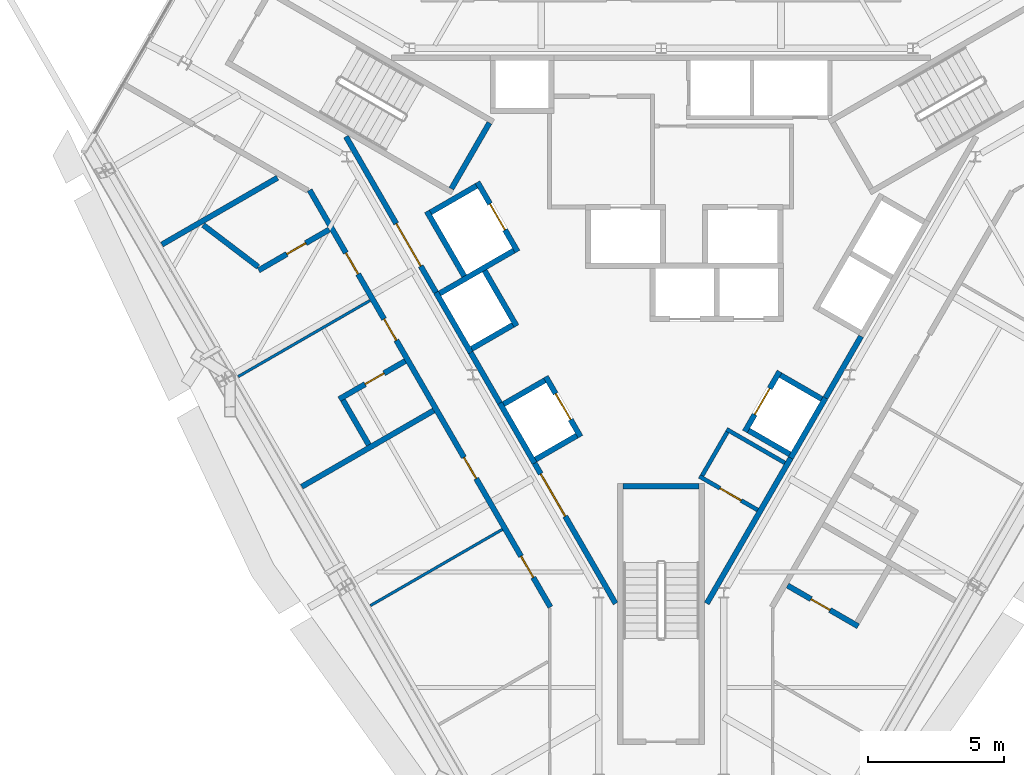
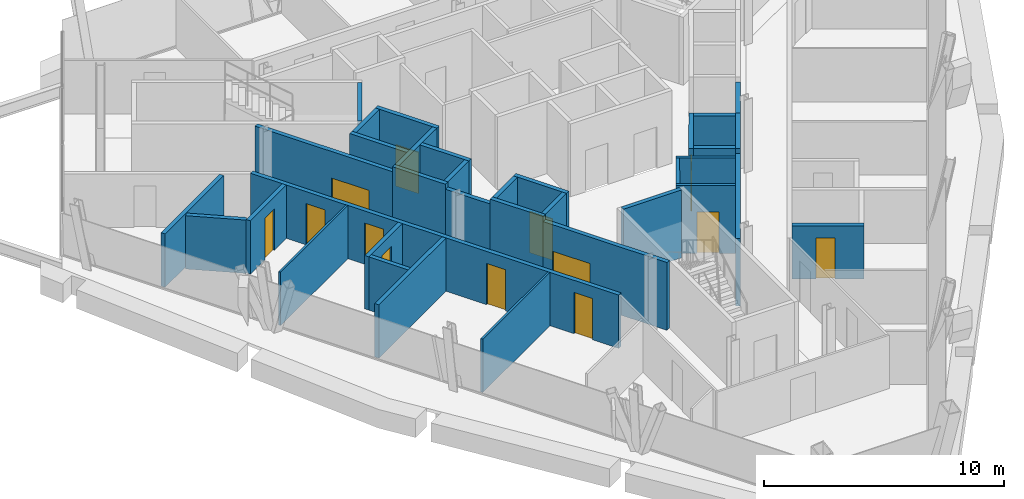
# One storey, part 7 of 11: 35 walls, 13 doors, 13 openings.
"""IFC4 building model written with IfcOpenShell, lengths in metres."""

from ifc_helpers import new_model, si_unit, direction, frame, frame_2d, origin, place, context, subcontext, project, spatial, rectangle, extrude, material, layer, layer_set, type_object, element, fill, save


model = new_model("IFC4")

# Units and contexts
model_context = context("Model", 3, precision=1e-05, world=origin(), true_north=direction((0.0, 1.0)))
body_context = subcontext(model_context, "Body", "Model", "MODEL_VIEW")
ifc_project = project(units=[si_unit("LENGTHUNIT", "METRE"), si_unit("AREAUNIT", "SQUARE_METRE"), si_unit("VOLUMEUNIT", "CUBIC_METRE"), si_unit("PLANEANGLEUNIT", "RADIAN"), si_unit("MASSUNIT", "GRAM", prefix="KILO")], contexts=[model_context])

# Site, building, storey
site_placement = place(None, origin())
site = spatial("IfcSite", under=ifc_project, at=site_placement, CompositionType="ELEMENT")
building_placement = place(site_placement, origin())
building = spatial("IfcBuilding", under=site, at=building_placement, Name="Verrane Prism Tower", CompositionType="ELEMENT")
storey_placement = place(building_placement, frame((0.0, 0.0, 232.300048828125)))
storey = spatial("IfcBuildingStorey", under=building, at=storey_placement, Name="L58", CompositionType="ELEMENT", Elevation=232.300048828125)

# Wall, opening, door
ifc_material_1 = material(Name="Gypsum board partition", Category="other")
ifc_layer_1 = layer(ifc_material_1, 0.199951171875)
ifc_layer_set_1 = layer_set([ifc_layer_1], Name="CW-200 core boundary wall 2 h")
wall_type_1 = type_object("IfcWallType", Name="CW-200 core boundary wall 2 h", PredefinedType="PARTITIONING", material=ifc_layer_set_1)
wall_1_placement = place(storey_placement, frame((-11.590576171875, 4.7548828125, 0.0), z_axis=(0.0, 0.0, 1.0), x_axis=(0.500043977787, -0.866000011708, 0.0)))
wall_1 = element("IfcWall", 1, at=wall_1_placement, inside=storey, type_object=wall_type_1, Name="Core boundary wall CW3-001", PredefinedType="PARTITIONING", context=body_context, shape_type="SweptSolid", body=[
    extrude(rectangle(XDim=6.61669921875, YDim=0.199951171875, at=frame_2d((3.308349609375, 0.0))), origin(), (0.0, 0.0, 1.0), 3.449951171875),
])
opening_1_placement = place(wall_1_placement, frame((3.695068359375, 0.0, 0.0)))
opening_1 = element("IfcOpeningElement", 2, at=opening_1_placement, cuts=wall_1, Name="Opening D57510", PredefinedType="OPENING", context=body_context, shape_type="SweptSolid", body=[
    extrude(rectangle(XDim=1.800048828125, YDim=2.10009765625, at=frame_2d((0.89990234375, 1.050048828125))), frame((0.0, 0.10986328125, 0.0), z_axis=(0.0, -1.0, 0.0), x_axis=(1.0, 0.0, 0.0)), (0.0, 0.0, 1.0), 0.219970703125),
])
ifc_material_2 = material(Name="Timber veneered door leaf", Category="wood")
door_type_1 = type_object("IfcDoorType", Name="DR-1800x2100 FD60 double leaf lift lobby", OperationType="NOTDEFINED", PredefinedType="DOOR", material=ifc_material_2)
door_1_placement = place(opening_1_placement, origin())
door_1 = element("IfcDoor", 3, at=door_1_placement, inside=storey, type_object=door_type_1, Name="Lift lobby door D57510", OperationType="DOUBLE_DOOR_SINGLE_SWING", OverallHeight=2.10009765625, OverallWidth=1.800048828125, PredefinedType="DOOR", context=body_context, shape_type="SweptSolid", body=[
    extrude(rectangle(XDim=1.800048828125, YDim=2.10009765625, at=frame_2d((0.89990234375, 1.050048828125))), frame((0.0, 0.02490234375, 0.0), z_axis=(0.0, -1.0, 0.0), x_axis=(1.0, 0.0, 0.0)), (0.0, 0.0, 1.0), 0.050048828125),
])
fill(opening_1, door_1)

# Wall
wall_2_placement = place(storey_placement, frame((-7.0048828125, -3.18701171875, 0.0), z_axis=(0.0, 0.0, 1.0), x_axis=(0.499689606989, -0.866204535123, 0.0)))
element("IfcWall", 4, at=wall_2_placement, inside=storey, type_object=wall_type_1, Name="Core boundary wall CW3-003", PredefinedType="PARTITIONING", context=body_context, shape_type="SweptSolid", body=[
    extrude(rectangle(XDim=2.144775390625, YDim=0.199951171875, at=frame_2d((1.072265625, 0.0))), origin(), (0.0, 0.0, 1.0), 3.449951171875),
])

# Wall, opening, door
wall_3_placement = place(storey_placement, frame((-4.655029296875, -7.257080078125, 0.0), z_axis=(0.0, 0.0, 1.0), x_axis=(0.499966124405, -0.866044960985, 0.0)))
wall_3 = element("IfcWall", 5, at=wall_3_placement, inside=storey, type_object=wall_type_1, Name="Core boundary wall CW3-004", PredefinedType="PARTITIONING", context=body_context, shape_type="SweptSolid", body=[
    extrude(rectangle(XDim=5.95556640625, YDim=0.199951171875, at=frame_2d((2.977783203125, 0.0))), origin(), (0.0, 0.0, 1.0), 3.449951171875),
])
opening_2_placement = place(wall_3_placement, frame((0.449951171875, 0.0, 0.0)))
opening_2 = element("IfcOpeningElement", 6, at=opening_2_placement, cuts=wall_3, Name="Opening D57511", PredefinedType="OPENING", context=body_context, shape_type="SweptSolid", body=[
    extrude(rectangle(XDim=1.800048828125, YDim=2.10009765625, at=frame_2d((0.89990234375, 1.050048828125))), frame((0.0, 0.10986328125, 0.0), z_axis=(0.0, -1.0, 0.0), x_axis=(1.0, 0.0, 0.0)), (0.0, 0.0, 1.0), 0.219970703125),
])
door_2_placement = place(opening_2_placement, origin())
door_2 = element("IfcDoor", 7, at=door_2_placement, inside=storey, type_object=door_type_1, Name="Lift lobby door D57511", OperationType="DOUBLE_DOOR_SINGLE_SWING", OverallHeight=2.10009765625, OverallWidth=1.800048828125, PredefinedType="DOOR", context=body_context, shape_type="SweptSolid", body=[
    extrude(rectangle(XDim=1.800048828125, YDim=2.10009765625, at=frame_2d((0.89990234375, 1.050048828125))), frame((0.0, 0.02490234375, 0.0), z_axis=(0.0, -1.0, 0.0), x_axis=(1.0, 0.0, 0.0)), (0.0, 0.0, 1.0), 0.050048828125),
])
fill(opening_2, door_2)

# Walls
wall_4_placement = place(storey_placement, frame((1.677490234375, -12.414794921875, 0.0), z_axis=(0.0, 0.0, 1.0), x_axis=(0.500054337157, 0.865994029939, 0.0)))
element("IfcWall", 8, at=wall_4_placement, inside=storey, type_object=wall_type_1, Name="Core boundary wall CW3-006", PredefinedType="PARTITIONING", context=body_context, shape_type="SweptSolid", body=[
    extrude(rectangle(XDim=6.176513671875, YDim=0.199951171875, at=frame_2d((3.08837890625, 0.0))), origin(), (0.0, 0.0, 1.0), 3.449951171875),
])
wall_5_placement = place(storey_placement, frame((6.0419921875, -4.85498046875, 0.0), z_axis=(0.0, 0.0, 1.0), x_axis=(0.500252727967, 0.865879442048, 0.0)))
element("IfcWall", 9, at=wall_5_placement, inside=storey, type_object=wall_type_1, Name="Core boundary wall CW3-007", PredefinedType="PARTITIONING", context=body_context, shape_type="SweptSolid", body=[
    extrude(rectangle(XDim=2.616943359375, YDim=0.199951171875, at=frame_2d((1.30859375, 0.0))), origin(), (0.0, 0.0, 1.0), 3.449951171875),
])
ifc_material_3 = material(Name="Concrete C40/50", Category="concrete")
ifc_layer_2 = layer(ifc_material_3, 0.199951171875)
ifc_layer_set_2 = layer_set([ifc_layer_2], Name="CW-200 stair core wall concrete C40/50 3 h")
wall_type_2 = type_object("IfcWallType", Name="CW-200 stair core wall concrete C40/50 3 h", PredefinedType="PARTITIONING", material=ifc_layer_set_2)
wall_6_placement = place(storey_placement, frame((-6.314697265625, 5.262451171875, 0.0), z_axis=(0.0, 0.0, 1.0), x_axis=(-0.500049511043, -0.865996816683, 0.0)))
element("IfcWall", 10, at=wall_6_placement, inside=storey, type_object=wall_type_2, Name="Stair 2 enclosure wall", PredefinedType="PARTITIONING", context=body_context, shape_type="SweptSolid", body=[
    extrude(rectangle(XDim=2.800048828125, YDim=0.199951171875, at=frame_2d((1.39990234375, 0.0))), origin(), (0.0, 0.0, 1.0), 3.449951171875),
])
wall_7_placement = place(storey_placement, frame((-1.39990234375, -8.10009765625, 0.0), z_axis=(0.0, 0.0, 1.0), x_axis=(1.0, 0.0, 0.0)))
element("IfcWall", 11, at=wall_7_placement, inside=storey, type_object=wall_type_2, Name="Stair 3 enclosure wall", PredefinedType="PARTITIONING", context=body_context, shape_type="SweptSolid", body=[
    extrude(rectangle(XDim=2.7998046875, YDim=0.199951171875, at=frame_2d((1.39990234375, 0.0))), origin(), (0.0, 0.0, 1.0), 3.449951171875),
])
ifc_material_4 = material(Name="Gypsum board shaft wall assembly", Category="other")
ifc_layer_3 = layer(ifc_material_4, 0.199951171875)
ifc_layer_set_3 = layer_set([ifc_layer_3], Name="HW-200 lift shaft wall 2 h")
wall_type_3 = type_object("IfcWallType", Name="HW-200 lift shaft wall 2 h", PredefinedType="PARTITIONING", material=ifc_layer_set_3)
for number, where, z_axis, x_axis, name in (
    (12, (-4.61962890625, -7.118408203125, 0.0), (0.0, 0.0, 1.0), (0.866036909293, 0.499980071345, 0.0), "Lift shaft wall"),
    (13, (-5.794677734375, -5.083251953125, 0.0), (0.0, 0.0, 1.0), (0.866036909293, 0.499980071345, 0.0), "Lift shaft wall"),
    (14, (-6.9697265625, -3.048095703125, 0.0), (0.0, 0.0, 1.0), (0.866036909293, 0.499980071345, 0.0), "Lift shaft wall"),
):
    element("IfcWall", number, at=place(storey_placement, frame(where, z_axis=z_axis, x_axis=x_axis)), inside=storey, type_object=wall_type_3, Name=name, PredefinedType="PARTITIONING", context=body_context, shape_type="SweptSolid", body=[
        extrude(rectangle(XDim=1.75, YDim=0.199951171875, at=frame_2d((0.875, 0.0))), origin(), (0.0, 0.0, 1.0), 3.699951171875),
    ])
wall_8_placement = place(storey_placement, frame((-8.14453125, -1.012939453125, 0.0), z_axis=(0.0, 0.0, 1.0), x_axis=(0.866016494683, 0.500015430699, 0.0)))
element("IfcWall", 15, at=wall_8_placement, inside=storey, type_object=wall_type_3, Name="Lift shaft wall", PredefinedType="PARTITIONING", context=body_context, shape_type="SweptSolid", body=[
    extrude(rectangle(XDim=3.14990234375, YDim=0.199951171875, at=frame_2d((1.574951171875, 0.0))), origin(), (0.0, 0.0, 1.0), 3.699951171875),
])
wall_9_placement = place(storey_placement, frame((-8.48046875, 1.968505859375, 0.0), z_axis=(0.0, 0.0, 1.0), x_axis=(0.866000020948, 0.500043961785, 0.0)))
element("IfcWall", 16, at=wall_9_placement, inside=storey, type_object=wall_type_3, Name="Lift shaft wall", PredefinedType="PARTITIONING", context=body_context, shape_type="SweptSolid", body=[
    extrude(rectangle(XDim=1.949951171875, YDim=0.199951171875, at=frame_2d((0.97509765625, 0.0))), origin(), (0.0, 0.0, 1.0), 3.699951171875),
])
wall_10_placement = place(storey_placement, frame((4.766357421875, -7.064697265625, 0.0), z_axis=(0.0, 0.0, 1.0), x_axis=(0.499948979701, 0.866054858364, 0.0)))
element("IfcWall", 17, at=wall_10_placement, inside=storey, type_object=wall_type_3, Name="Lift shaft wall", PredefinedType="PARTITIONING", context=body_context, shape_type="SweptSolid", body=[
    extrude(rectangle(XDim=2.550048828125, YDim=0.199951171875, at=frame_2d((1.27490234375, 0.0))), origin(), (0.0, 0.0, 1.0), 3.699951171875),
])

# Wall, opening, door
wall_11_placement = place(storey_placement, frame((3.077392578125, -6.089599609375, 0.0), z_axis=(0.0, 0.0, 1.0), x_axis=(0.500062241894, 0.865989465428, 0.0)))
wall_11 = element("IfcWall", 18, at=wall_11_placement, inside=storey, type_object=wall_type_3, Name="Lift shaft wall", PredefinedType="PARTITIONING", context=body_context, shape_type="SweptSolid", body=[
    extrude(rectangle(XDim=2.550048828125, YDim=0.199951171875, at=frame_2d((1.27490234375, 0.0))), origin(), (0.0, 0.0, 1.0), 3.699951171875),
])
opening_3_placement = place(wall_11_placement, frame((0.72509765625, 0.0, 0.0)))
opening_3 = element("IfcOpeningElement", 19, at=opening_3_placement, cuts=wall_11, Name="Opening D57505", PredefinedType="OPENING", context=body_context, shape_type="SweptSolid", body=[
    extrude(rectangle(XDim=1.10009765625, YDim=2.10009765625, at=frame_2d((0.550048828125, 1.050048828125))), frame((0.0, 0.10986328125, 0.0), z_axis=(0.0, -1.0, 0.0), x_axis=(1.0, 0.0, 0.0)), (0.0, 0.0, 1.0), 0.219970703125),
])
ifc_material_5 = material(Name="Stainless steel sliding landing door", Category="steel")
door_type_2 = type_object("IfcDoorType", Name="LD-1100x2100 lift landing door FD90 sliding", OperationType="NOTDEFINED", PredefinedType="DOOR", material=ifc_material_5)
door_3_placement = place(opening_3_placement, origin())
door_3 = element("IfcDoor", 20, at=door_3_placement, inside=storey, type_object=door_type_2, Name="Bank B lift 3 landing door", OperationType="SLIDING_TO_LEFT", OverallHeight=2.10009765625, OverallWidth=1.10009765625, PredefinedType="DOOR", context=body_context, shape_type="SweptSolid", body=[
    extrude(rectangle(XDim=1.10009765625, YDim=2.10009765625, at=frame_2d((0.550048828125, 1.050048828125))), frame((0.0, 0.02490234375, 0.0), z_axis=(0.0, -1.0, 0.0), x_axis=(1.0, 0.0, 0.0)), (0.0, 0.0, 1.0), 0.050048828125),
])
fill(opening_3, door_3)

wall_12_placement = place(storey_placement, frame((-5.280029296875, 0.525390625, 0.0), z_axis=(0.0, 0.0, 1.0), x_axis=(-0.500037662692, 0.866003658127, 0.0)))
wall_12 = element("IfcWall", 21, at=wall_12_placement, inside=storey, type_object=wall_type_3, Name="Lift shaft wall", PredefinedType="PARTITIONING", context=body_context, shape_type="SweptSolid", body=[
    extrude(rectangle(XDim=2.949951171875, YDim=0.199951171875, at=frame_2d((1.47509765625, 0.0))), origin(), (0.0, 0.0, 1.0), 3.699951171875),
])
opening_4_placement = place(wall_12_placement, frame((0.925048828125, 0.0, 0.0)))
opening_4 = element("IfcOpeningElement", 22, at=opening_4_placement, cuts=wall_12, Name="Opening D57509", PredefinedType="OPENING", context=body_context, shape_type="SweptSolid", body=[
    extrude(rectangle(XDim=1.10009765625, YDim=2.10009765625, at=frame_2d((0.550048828125, 1.050048828125))), frame((0.0, 0.10986328125, 0.0), z_axis=(0.0, -1.0, 0.0), x_axis=(1.0, 0.0, 0.0)), (0.0, 0.0, 1.0), 0.219970703125),
])
door_4_placement = place(opening_4_placement, origin())
door_4 = element("IfcDoor", 23, at=door_4_placement, inside=storey, type_object=door_type_2, Name="Service lift 1 landing door", OperationType="SLIDING_TO_LEFT", OverallHeight=2.10009765625, OverallWidth=1.10009765625, PredefinedType="DOOR", context=body_context, shape_type="SweptSolid", body=[
    extrude(rectangle(XDim=1.10009765625, YDim=2.10009765625, at=frame_2d((0.550048828125, 1.050048828125))), frame((0.0, 0.02490234375, 0.0), z_axis=(0.0, -1.0, 0.0), x_axis=(1.0, 0.0, 0.0)), (0.0, 0.0, 1.0), 0.050048828125),
])
fill(opening_4, door_4)

wall_13_placement = place(storey_placement, frame((-2.967529296875, -6.280029296875, 0.0), z_axis=(0.0, 0.0, 1.0), x_axis=(-0.499990435942, 0.866030925526, 0.0)))
wall_13 = element("IfcWall", 24, at=wall_13_placement, inside=storey, type_object=wall_type_3, Name="Lift shaft wall", PredefinedType="PARTITIONING", context=body_context, shape_type="SweptSolid", body=[
    extrude(rectangle(XDim=2.5498046875, YDim=0.199951171875, at=frame_2d((1.27490234375, 0.0))), origin(), (0.0, 0.0, 1.0), 3.699951171875),
])
opening_5_placement = place(wall_13_placement, frame((0.72509765625, 0.0, 0.0)))
opening_5 = element("IfcOpeningElement", 25, at=opening_5_placement, cuts=wall_13, Name="Opening D57506", PredefinedType="OPENING", context=body_context, shape_type="SweptSolid", body=[
    extrude(rectangle(XDim=1.10009765625, YDim=2.10009765625, at=frame_2d((0.550048828125, 1.050048828125))), frame((0.0, 0.10986328125, 0.0), z_axis=(0.0, -1.0, 0.0), x_axis=(1.0, 0.0, 0.0)), (0.0, 0.0, 1.0), 0.219970703125),
])
door_5_placement = place(opening_5_placement, origin())
door_5 = element("IfcDoor", 26, at=door_5_placement, inside=storey, type_object=door_type_2, Name="Bank B lift 4 landing door", OperationType="SLIDING_TO_RIGHT", OverallHeight=2.10009765625, OverallWidth=1.10009765625, PredefinedType="DOOR", context=body_context, shape_type="SweptSolid", body=[
    extrude(rectangle(XDim=1.10009765625, YDim=2.10009765625, at=frame_2d((0.550048828125, 1.050048828125))), frame((0.0, 0.02490234375, 0.0), z_axis=(0.0, -1.0, 0.0), x_axis=(1.0, 0.0, 0.0)), (0.0, 0.0, 1.0), 0.050048828125),
])
fill(opening_5, door_5)

# Walls
wall_14_placement = place(storey_placement, frame((-5.317626953125, -2.209716796875, 0.0), z_axis=(0.0, 0.0, 1.0), x_axis=(-0.499938297808, 0.866061024631, 0.0)))
element("IfcWall", 27, at=wall_14_placement, inside=storey, type_object=wall_type_3, Name="Lift shaft wall", PredefinedType="PARTITIONING", context=body_context, shape_type="SweptSolid", body=[
    extrude(rectangle(XDim=2.349853515625, YDim=0.199951171875, at=frame_2d((1.1748046875, 0.0))), origin(), (0.0, 0.0, 1.0), 3.699951171875),
])
wall_15_placement = place(storey_placement, frame((-7.241943359375, -0.37646484375, 0.0), z_axis=(0.0, 0.0, 1.0), x_axis=(-0.499996545922, 0.866027397988, 0.0)))
element("IfcWall", 28, at=wall_15_placement, inside=storey, type_object=wall_type_3, Name="Lift shaft wall", PredefinedType="PARTITIONING", context=body_context, shape_type="SweptSolid", body=[
    extrude(rectangle(XDim=2.75, YDim=0.199951171875, at=frame_2d((1.375, 0.0))), origin(), (0.0, 0.0, 1.0), 3.699951171875),
])
for number, where, z_axis, x_axis, name in (
    (29, (-4.65625, -7.255126953125, 0.0), (0.0, 0.0, 1.0), (-0.499990435942, 0.866030925526, 0.0), "Lift shaft wall"),
    (30, (-7.00634765625, -3.184814453125, 0.0), (0.0, 0.0, 1.0), (-0.499990435942, 0.866030925526, 0.0), "Lift shaft wall"),
):
    element("IfcWall", number, at=place(storey_placement, frame(where, z_axis=z_axis, x_axis=x_axis)), inside=storey, type_object=wall_type_3, Name=name, PredefinedType="PARTITIONING", context=body_context, shape_type="SweptSolid", body=[
        extrude(rectangle(XDim=2.5498046875, YDim=0.199951171875, at=frame_2d((1.27490234375, 0.0))), origin(), (0.0, 0.0, 1.0), 3.699951171875),
    ])
wall_16_placement = place(storey_placement, frame((5.904541015625, -4.892822265625, 0.0), z_axis=(0.0, 0.0, 1.0), x_axis=(-0.866002029911, 0.500040482552, 0.0)))
element("IfcWall", 31, at=wall_16_placement, inside=storey, type_object=wall_type_3, Name="Lift shaft wall", PredefinedType="PARTITIONING", context=body_context, shape_type="SweptSolid", body=[
    extrude(rectangle(XDim=1.749755859375, YDim=0.199951171875, at=frame_2d((0.875, 0.0))), origin(), (0.0, 0.0, 1.0), 3.699951171875),
])
wall_17_placement = place(storey_placement, frame((4.729736328125, -6.927978515625, 0.0), z_axis=(0.0, 0.0, 1.0), x_axis=(-0.866036909293, 0.499980071345, 0.0)))
element("IfcWall", 32, at=wall_17_placement, inside=storey, type_object=wall_type_3, Name="Lift shaft wall", PredefinedType="PARTITIONING", context=body_context, shape_type="SweptSolid", body=[
    extrude(rectangle(XDim=1.75, YDim=0.199951171875, at=frame_2d((0.875, 0.0))), origin(), (0.0, 0.0, 1.0), 3.699951171875),
])
ifc_material_6 = material(Name="Gypsum board partition", Category="other")
ifc_layer_4 = layer(ifc_material_6, 0.10009765625)
ifc_layer_set_4 = layer_set([ifc_layer_4], Name="PW-100 room partition")
wall_type_4 = type_object("IfcWallType", Name="PW-100 room partition", PredefinedType="PARTITIONING", material=ifc_layer_set_4)
wall_18_placement = place(storey_placement, frame((-15.5546875, -4.07080078125, 0.0), z_axis=(0.0, 0.0, 1.0), x_axis=(0.866083225238, 0.499899836928, 0.0)))
element("IfcWall", 33, at=wall_18_placement, inside=storey, type_object=wall_type_4, Name="Room partition 005", PredefinedType="PARTITIONING", context=body_context, shape_type="SweptSolid", body=[
    extrude(rectangle(XDim=5.599853515625, YDim=0.10009765625, at=frame_2d((2.7998046875, 0.0))), origin(), (0.0, 0.0, 1.0), 2.712890625),
])
wall_19_placement = place(storey_placement, frame((-10.692626953125, -12.491943359375, 0.0), z_axis=(0.0, 0.0, 1.0), x_axis=(0.866017266313, 0.500014094249, 0.0)))
element("IfcWall", 34, at=wall_19_placement, inside=storey, type_object=wall_type_4, Name="Room partition 011", PredefinedType="PARTITIONING", context=body_context, shape_type="SweptSolid", body=[
    extrude(rectangle(XDim=5.603759765625, YDim=0.10009765625, at=frame_2d((2.8017578125, 0.0))), origin(), (0.0, 0.0, 1.0), 2.712890625),
])
ifc_material_7 = material(Name="Gypsum board partition", Category="other")
ifc_layer_5 = layer(ifc_material_7, 0.199951171875)
ifc_layer_set_5 = layer_set([ifc_layer_5], Name="PW-200 plumbing wall")
wall_type_5 = type_object("IfcWallType", Name="PW-200 plumbing wall", PredefinedType="PARTITIONING", material=ifc_layer_set_5)
wall_20_placement = place(storey_placement, frame((-18.359130859375, 0.78662109375, 0.0), z_axis=(0.0, 0.0, 1.0), x_axis=(0.86596515875, 0.500104332946, 0.0)))
element("IfcWall", 35, at=wall_20_placement, inside=storey, type_object=wall_type_5, Name="Plumbing wall 002", PredefinedType="PARTITIONING", context=body_context, shape_type="SweptSolid", body=[
    extrude(rectangle(XDim=4.90673828125, YDim=0.199951171875, at=frame_2d((2.453369140625, 0.0))), origin(), (0.0, 0.0, 1.0), 2.712890625),
])
wall_21_placement = place(storey_placement, frame((-16.84033203125, 1.5029296875, 0.0), z_axis=(0.0, 0.0, 1.0), x_axis=(0.79576722268, -0.605602615012, 0.0)))
element("IfcWall", 36, at=wall_21_placement, inside=storey, type_object=wall_type_5, Name="Plumbing wall 003", PredefinedType="PARTITIONING", context=body_context, shape_type="SweptSolid", body=[
    extrude(rectangle(XDim=2.5380859375, YDim=0.199951171875, at=frame_2d((1.26904296875, 0.0))), origin(), (0.0, 0.0, 1.0), 2.712890625),
])

# Wall, opening, door
wall_22_placement = place(storey_placement, frame((-14.8037109375, -0.1630859375, 0.0), z_axis=(0.0, 0.0, 1.0), x_axis=(0.866031096941, 0.499990139034, 0.0)))
wall_22 = element("IfcWall", 37, at=wall_22_placement, inside=storey, type_object=wall_type_5, Name="Plumbing wall 006", PredefinedType="PARTITIONING", context=body_context, shape_type="SweptSolid", body=[
    extrude(rectangle(XDim=3.0, YDim=0.199951171875, at=frame_2d((1.5, 0.0))), origin(), (0.0, 0.0, 1.0), 2.712890625),
])
opening_6_placement = place(wall_22_placement, frame((1.199951171875, 0.0, 0.0)))
opening_6 = element("IfcOpeningElement", 38, at=opening_6_placement, cuts=wall_22, Name="Opening D57012", PredefinedType="OPENING", context=body_context, shape_type="SweptSolid", body=[
    extrude(rectangle(XDim=0.800048828125, YDim=2.10009765625, at=frame_2d((0.39990234375, 1.050048828125))), frame((0.0, 0.10986328125, 0.0), z_axis=(0.0, -1.0, 0.0), x_axis=(1.0, 0.0, 0.0)), (0.0, 0.0, 1.0), 0.219970703125),
])
ifc_material_8 = material(Name="Timber veneered door leaf", Category="wood")
door_type_3 = type_object("IfcDoorType", Name="DR-800x2100 single leaf bath", OperationType="NOTDEFINED", PredefinedType="DOOR", material=ifc_material_8)
door_6_placement = place(opening_6_placement, origin())
door_6 = element("IfcDoor", 39, at=door_6_placement, inside=storey, type_object=door_type_3, Name="Master Bathroom door", OperationType="SINGLE_SWING_RIGHT", OverallHeight=2.10009765625, OverallWidth=0.800048828125, PredefinedType="DOOR", context=body_context, shape_type="SweptSolid", body=[
    extrude(rectangle(XDim=0.800048828125, YDim=2.10009765625, at=frame_2d((0.39990234375, 1.050048828125))), frame((0.0, 0.02490234375, 0.0), z_axis=(0.0, -1.0, 0.0), x_axis=(1.0, 0.0, 0.0)), (0.0, 0.0, 1.0), 0.050048828125),
])
fill(opening_6, door_6)

# Wall
wall_23_placement = place(storey_placement, frame((-13.216796875, -8.119873046875, 0.0), z_axis=(0.0, 0.0, 1.0), x_axis=(0.865964107429, 0.500106153376, 0.0)))
element("IfcWall", 40, at=wall_23_placement, inside=storey, type_object=wall_type_5, Name="Plumbing wall 007", PredefinedType="PARTITIONING", context=body_context, shape_type="SweptSolid", body=[
    extrude(rectangle(XDim=5.599365234375, YDim=0.199951171875, at=frame_2d((2.7998046875, 0.0))), origin(), (0.0, 0.0, 1.0), 2.712890625),
])

# Wall, openings, doors
wall_24_placement = place(storey_placement, frame((-4.074951171875, -12.54541015625, 0.0), z_axis=(0.0, 0.0, 1.0), x_axis=(-0.499997769292, 0.86602669168, 0.0)))
wall_24 = element("IfcWall", 41, at=wall_24_placement, inside=storey, type_object=wall_type_5, Name="Plumbing wall 008", PredefinedType="PARTITIONING", context=body_context, shape_type="SweptSolid", body=[
    extrude(rectangle(XDim=17.7060546875, YDim=0.199951171875, at=frame_2d((8.85302734375, 0.0))), origin(), (0.0, 0.0, 1.0), 2.712890625),
])
opening_7_placement = place(wall_24_placement, frame((14.137939453125, 0.0, 0.0)))
opening_7 = element("IfcOpeningElement", 42, at=opening_7_placement, cuts=wall_24, Name="Opening D57011", PredefinedType="OPENING", context=body_context, shape_type="SweptSolid", body=[
    extrude(rectangle(XDim=0.89990234375, YDim=2.10009765625, at=frame_2d((0.449951171875, 1.050048828125))), frame((0.0, 0.10986328125, 0.0), z_axis=(0.0, -1.0, 0.0), x_axis=(1.0, 0.0, 0.0)), (0.0, 0.0, 1.0), 0.219970703125),
])
opening_8_placement = place(wall_24_placement, frame((11.328125, 0.0, 0.0)))
opening_8 = element("IfcOpeningElement", 43, at=opening_8_placement, cuts=wall_24, Name="Opening D57013", PredefinedType="OPENING", context=body_context, shape_type="SweptSolid", body=[
    extrude(rectangle(XDim=0.89990234375, YDim=2.10009765625, at=frame_2d((0.449951171875, 1.050048828125))), frame((0.0, 0.10986328125, 0.0), z_axis=(0.0, -1.0, 0.0), x_axis=(1.0, 0.0, 0.0)), (0.0, 0.0, 1.0), 0.219970703125),
])
opening_9_placement = place(wall_24_placement, frame((5.4541015625, 0.0, 0.0)))
opening_9 = element("IfcOpeningElement", 44, at=opening_9_placement, cuts=wall_24, Name="Opening D57015", PredefinedType="OPENING", context=body_context, shape_type="SweptSolid", body=[
    extrude(rectangle(XDim=0.89990234375, YDim=2.10009765625, at=frame_2d((0.449951171875, 1.050048828125))), frame((0.0, 0.10986328125, 0.0), z_axis=(0.0, -1.0, 0.0), x_axis=(1.0, 0.0, 0.0)), (0.0, 0.0, 1.0), 0.219970703125),
])
opening_10_placement = place(wall_24_placement, frame((1.255126953125, 0.0, 0.0)))
opening_10 = element("IfcOpeningElement", 45, at=opening_10_placement, cuts=wall_24, Name="Opening D57016", PredefinedType="OPENING", context=body_context, shape_type="SweptSolid", body=[
    extrude(rectangle(XDim=0.89990234375, YDim=2.10009765625, at=frame_2d((0.449951171875, 1.050048828125))), frame((0.0, 0.10986328125, 0.0), z_axis=(0.0, -1.0, 0.0), x_axis=(1.0, 0.0, 0.0)), (0.0, 0.0, 1.0), 0.219970703125),
])
ifc_material_9 = material(Name="Timber veneered door leaf", Category="wood")
door_type_4 = type_object("IfcDoorType", Name="DR-900x2100 single leaf inner", OperationType="NOTDEFINED", PredefinedType="DOOR", material=ifc_material_9)
door_7_placement = place(opening_7_placement, origin())
door_7 = element("IfcDoor", 46, at=door_7_placement, inside=storey, type_object=door_type_4, Name="Master Bedroom door", OperationType="SINGLE_SWING_RIGHT", OverallHeight=2.10009765625, OverallWidth=0.89990234375, PredefinedType="DOOR", context=body_context, shape_type="SweptSolid", body=[
    extrude(rectangle(XDim=0.89990234375, YDim=2.10009765625, at=frame_2d((0.449951171875, 1.050048828125))), frame((0.0, 0.02490234375, 0.0), z_axis=(0.0, -1.0, 0.0), x_axis=(1.0, 0.0, 0.0)), (0.0, 0.0, 1.0), 0.050048828125),
])
fill(opening_7, door_7)
door_8_placement = place(opening_8_placement, origin())
door_8 = element("IfcDoor", 47, at=door_8_placement, inside=storey, type_object=door_type_4, Name="Bedroom door", OperationType="SINGLE_SWING_RIGHT", OverallHeight=2.10009765625, OverallWidth=0.89990234375, PredefinedType="DOOR", context=body_context, shape_type="SweptSolid", body=[
    extrude(rectangle(XDim=0.89990234375, YDim=2.10009765625, at=frame_2d((0.449951171875, 1.050048828125))), frame((0.0, 0.02490234375, 0.0), z_axis=(0.0, -1.0, 0.0), x_axis=(1.0, 0.0, 0.0)), (0.0, 0.0, 1.0), 0.050048828125),
])
fill(opening_8, door_8)
ifc_material_10 = material(Name="Timber veneered door leaf", Category="wood")
door_type_5 = type_object("IfcDoorType", Name="DR-900x2100 single leaf unit", OperationType="NOTDEFINED", PredefinedType="DOOR", material=ifc_material_10)
door_9_placement = place(opening_9_placement, origin())
door_9 = element("IfcDoor", 48, at=door_9_placement, inside=storey, type_object=door_type_5, Name="Study door", OperationType="SINGLE_SWING_RIGHT", OverallHeight=2.10009765625, OverallWidth=0.89990234375, PredefinedType="DOOR", context=body_context, shape_type="SweptSolid", body=[
    extrude(rectangle(XDim=0.89990234375, YDim=2.10009765625, at=frame_2d((0.449951171875, 1.050048828125))), frame((0.0, 0.02490234375, 0.0), z_axis=(0.0, -1.0, 0.0), x_axis=(1.0, 0.0, 0.0)), (0.0, 0.0, 1.0), 0.050048828125),
])
fill(opening_9, door_9)
door_10_placement = place(opening_10_placement, origin())
door_10 = element("IfcDoor", 49, at=door_10_placement, inside=storey, type_object=door_type_5, Name="Study door", OperationType="SINGLE_SWING_LEFT", OverallHeight=2.10009765625, OverallWidth=0.89990234375, PredefinedType="DOOR", context=body_context, shape_type="SweptSolid", body=[
    extrude(rectangle(XDim=0.89990234375, YDim=2.10009765625, at=frame_2d((0.449951171875, 1.050048828125))), frame((0.0, 0.02490234375, 0.0), z_axis=(0.0, -1.0, 0.0), x_axis=(1.0, 0.0, 0.0)), (0.0, 0.0, 1.0), 0.050048828125),
])
fill(opening_10, door_10)

# Wall
wall_25_placement = place(storey_placement, frame((-11.701904296875, -4.935546875, 0.0), z_axis=(0.0, 0.0, 1.0), x_axis=(0.500134112126, -0.865947960265, 0.0)))
element("IfcWall", 50, at=wall_25_placement, inside=storey, type_object=wall_type_5, Name="Plumbing wall 009", PredefinedType="PARTITIONING", context=body_context, shape_type="SweptSolid", body=[
    extrude(rectangle(XDim=1.8994140625, YDim=0.199951171875, at=frame_2d((0.94970703125, 0.0))), origin(), (0.0, 0.0, 1.0), 2.712890625),
])

# Wall, opening, door
wall_26_placement = place(storey_placement, frame((-9.41357421875, -3.4990234375, 0.0), z_axis=(0.0, 0.0, 1.0), x_axis=(-0.866056369097, -0.49994636267, 0.0)))
wall_26 = element("IfcWall", 51, at=wall_26_placement, inside=storey, type_object=wall_type_5, Name="Plumbing wall 010", PredefinedType="PARTITIONING", context=body_context, shape_type="SweptSolid", body=[
    extrude(rectangle(XDim=2.800048828125, YDim=0.199951171875, at=frame_2d((1.39990234375, 0.0))), origin(), (0.0, 0.0, 1.0), 2.712890625),
])
opening_11_placement = place(wall_26_placement, frame((0.900146484375, 0.0, 0.0)))
opening_11 = element("IfcOpeningElement", 52, at=opening_11_placement, cuts=wall_26, Name="Opening D57014", PredefinedType="OPENING", context=body_context, shape_type="SweptSolid", body=[
    extrude(rectangle(XDim=0.800048828125, YDim=2.10009765625, at=frame_2d((0.39990234375, 1.050048828125))), frame((0.0, 0.10986328125, 0.0), z_axis=(0.0, -1.0, 0.0), x_axis=(1.0, 0.0, 0.0)), (0.0, 0.0, 1.0), 0.219970703125),
])
door_11_placement = place(opening_11_placement, origin())
door_11 = element("IfcDoor", 53, at=door_11_placement, inside=storey, type_object=door_type_3, Name="Bathroom door", OperationType="SINGLE_SWING_LEFT", OverallHeight=2.10009765625, OverallWidth=0.800048828125, PredefinedType="DOOR", context=body_context, shape_type="SweptSolid", body=[
    extrude(rectangle(XDim=0.800048828125, YDim=2.10009765625, at=frame_2d((0.39990234375, 1.050048828125))), frame((0.0, 0.02490234375, 0.0), z_axis=(0.0, -1.0, 0.0), x_axis=(1.0, 0.0, 0.0)), (0.0, 0.0, 1.0), 0.050048828125),
])
fill(opening_11, door_11)

wall_27_placement = place(storey_placement, frame((4.647705078125, -11.75390625, 0.0), z_axis=(0.0, 0.0, 1.0), x_axis=(0.866010750942, -0.50002537861, 0.0)))
wall_27 = element("IfcWall", 54, at=wall_27_placement, inside=storey, type_object=wall_type_5, Name="Plumbing wall 026", PredefinedType="PARTITIONING", context=body_context, shape_type="SweptSolid", body=[
    extrude(rectangle(XDim=2.999755859375, YDim=0.199951171875, at=frame_2d((1.5, 0.0))), origin(), (0.0, 0.0, 1.0), 2.712890625),
])
opening_12_placement = place(wall_27_placement, frame((1.0, 0.0, 0.0)))
opening_12 = element("IfcOpeningElement", 55, at=opening_12_placement, cuts=wall_27, Name="Opening D57021", PredefinedType="OPENING", context=body_context, shape_type="SweptSolid", body=[
    extrude(rectangle(XDim=0.800048828125, YDim=2.10009765625, at=frame_2d((0.39990234375, 1.050048828125))), frame((0.0, 0.10986328125, 0.0), z_axis=(0.0, -1.0, 0.0), x_axis=(1.0, 0.0, 0.0)), (0.0, 0.0, 1.0), 0.219970703125),
])
door_12_placement = place(opening_12_placement, origin())
door_12 = element("IfcDoor", 56, at=door_12_placement, inside=storey, type_object=door_type_3, Name="Master Bathroom door", OperationType="SINGLE_SWING_LEFT", OverallHeight=2.10009765625, OverallWidth=0.800048828125, PredefinedType="DOOR", context=body_context, shape_type="SweptSolid", body=[
    extrude(rectangle(XDim=0.800048828125, YDim=2.10009765625, at=frame_2d((0.39990234375, 1.050048828125))), frame((0.0, 0.02490234375, 0.0), z_axis=(0.0, -1.0, 0.0), x_axis=(1.0, 0.0, 0.0)), (0.0, 0.0, 1.0), 0.050048828125),
])
fill(opening_12, door_12)

# Wall
ifc_material_11 = material(Name="Gypsum board partition", Category="other")
ifc_layer_6 = layer(ifc_material_11, 0.14990234375)
ifc_layer_set_6 = layer_set([ifc_layer_6], Name="RS-150 riser enclosure wall 1 h")
wall_type_6 = type_object("IfcWallType", Name="RS-150 riser enclosure wall 1 h", PredefinedType="PARTITIONING", material=ifc_layer_set_6)
wall_28_placement = place(storey_placement, frame((1.506591796875, -7.7109375, 0.0), z_axis=(0.0, 0.0, 1.0), x_axis=(0.49994333299, 0.866058118026, 0.0)))
element("IfcWall", 57, at=wall_28_placement, inside=storey, type_object=wall_type_6, Name="Riser wall RS3-003", PredefinedType="PARTITIONING", context=body_context, shape_type="SweptSolid", body=[
    extrude(rectangle(XDim=1.849853515625, YDim=0.14990234375, at=frame_2d((0.9248046875, 0.0))), origin(), (0.0, 0.0, 1.0), 3.449951171875),
])

# Wall, opening, door
wall_29_placement = place(storey_placement, frame((1.404052734375, -7.738525390625, 0.0), z_axis=(0.0, 0.0, 1.0), x_axis=(0.866006523861, -0.500032699561, 0.0)))
wall_29 = element("IfcWall", 58, at=wall_29_placement, inside=storey, type_object=wall_type_6, Name="Riser wall RS3-004", PredefinedType="PARTITIONING", context=body_context, shape_type="SweptSolid", body=[
    extrude(rectangle(XDim=2.474853515625, YDim=0.14990234375, at=frame_2d((1.2373046875, 0.0))), origin(), (0.0, 0.0, 1.0), 3.449951171875),
])
opening_13_placement = place(wall_29_placement, frame((0.875, 0.0, 0.0)))
opening_13 = element("IfcOpeningElement", 59, at=opening_13_placement, cuts=wall_29, Name="Opening D57516", PredefinedType="OPENING", context=body_context, shape_type="SweptSolid", body=[
    extrude(rectangle(XDim=0.89990234375, YDim=2.10009765625, at=frame_2d((0.449951171875, 1.050048828125))), frame((0.0, 0.0849609375, 0.0), z_axis=(0.0, -1.0, 0.0), x_axis=(1.0, 0.0, 0.0)), (0.0, 0.0, 1.0), 0.169921875),
])
ifc_material_12 = material(Name="Timber veneered door leaf", Category="wood")
door_type_6 = type_object("IfcDoorType", Name="DR-900x2100 FD60 single leaf store", OperationType="NOTDEFINED", PredefinedType="DOOR", material=ifc_material_12)
door_13_placement = place(opening_13_placement, origin())
door_13 = element("IfcDoor", 60, at=door_13_placement, inside=storey, type_object=door_type_6, Name="Room door D57516", OperationType="SINGLE_SWING_LEFT", OverallHeight=2.10009765625, OverallWidth=0.89990234375, PredefinedType="DOOR", context=body_context, shape_type="SweptSolid", body=[
    extrude(rectangle(XDim=0.89990234375, YDim=2.10009765625, at=frame_2d((0.449951171875, 1.050048828125))), frame((0.0, 0.02490234375, 0.0), z_axis=(0.0, -1.0, 0.0), x_axis=(1.0, 0.0, 0.0)), (0.0, 0.0, 1.0), 0.050048828125),
])
fill(opening_13, door_13)

# Wall
wall_30_placement = place(storey_placement, frame((2.404052734375, -6.006591796875, 0.0), z_axis=(0.0, 0.0, 1.0), x_axis=(0.86604923931, -0.499958713387, 0.0)))
element("IfcWall", 61, at=wall_30_placement, inside=storey, type_object=wall_type_6, Name="Riser wall RS3-005", PredefinedType="PARTITIONING", context=body_context, shape_type="SweptSolid", body=[
    extrude(rectangle(XDim=2.474853515625, YDim=0.14990234375, at=frame_2d((1.2373046875, 0.0))), origin(), (0.0, 0.0, 1.0), 3.449951171875),
])

save(model, "model.ifc")
